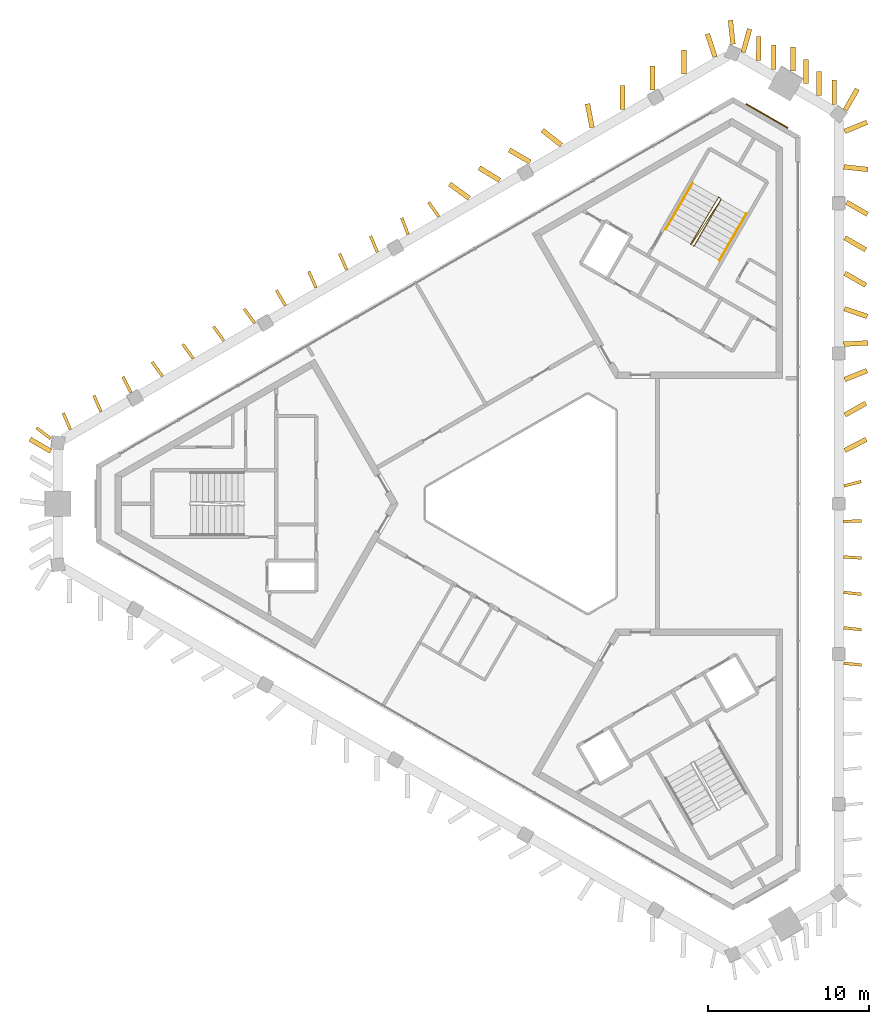
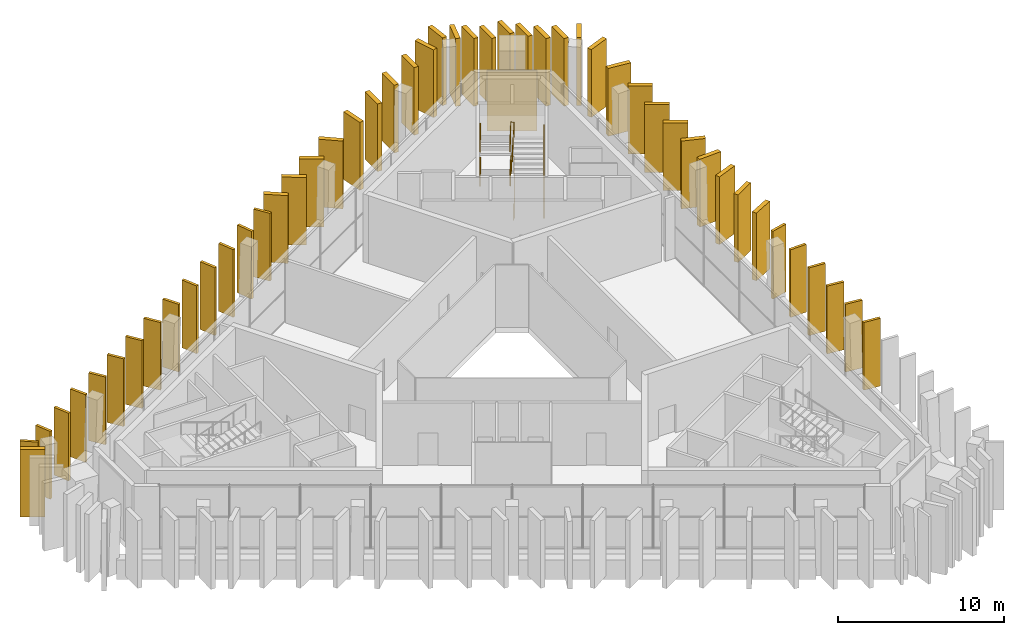
# One storey, part 13 of 13: 49 shading devices, 5 railings, 1 covering.
"""IFC4 building model written with IfcOpenShell, lengths in metres."""

from ifc_helpers import new_model, si_unit, direction, frame, frame_2d, origin, origin_2d, place, context, subcontext, project, spatial, rectangle, circle, extrude, material, layer, layer_set, type_object, element, save


model = new_model("IFC4")

# Units and contexts
model_context = context("Model", 3, precision=1e-05, world=origin(), true_north=direction((0.0, 1.0)))
body_context = subcontext(model_context, "Body", "Model", "MODEL_VIEW")
ifc_project = project(units=[si_unit("LENGTHUNIT", "METRE"), si_unit("AREAUNIT", "SQUARE_METRE"), si_unit("VOLUMEUNIT", "CUBIC_METRE"), si_unit("PLANEANGLEUNIT", "RADIAN"), si_unit("MASSUNIT", "GRAM", prefix="KILO")], contexts=[model_context])

# Site, building, storey
site_placement = place(None, origin())
site = spatial("IfcSite", under=ifc_project, at=site_placement, CompositionType="ELEMENT")
building_placement = place(site_placement, origin())
building = spatial("IfcBuilding", under=site, at=building_placement, Name="Jabali Bay Hotel Tower and Convention Centre", CompositionType="ELEMENT")
storey_placement = place(building_placement, frame((0.0, 0.0, 310.800048828125)))
storey = spatial("IfcBuildingStorey", under=building, at=storey_placement, Name="L76", CompositionType="ELEMENT", Elevation=310.800048828125)

# Shading devices
ifc_material_1 = material(Name="Precast concrete C60", Category="concrete")
ifc_layer_1 = layer(ifc_material_1, 0.179931640625)
ifc_layer_set_1 = layer_set([ifc_layer_1], Name="Precast concrete C60")
shading_device_type_1 = type_object("IfcShadingDeviceType", Name="Precast fin 4980 x 1100", PredefinedType="USERDEFINED", material=ifc_layer_set_1)
for number, where, z_axis, x_axis, name in (
    (1, (93.68212890625, 70.08544921875, 0.010009765625), (0.0, 0.0, 1.0), (0.995241617012, -0.097437794351, 0.0), "Fin L76 006"),
    (2, (93.68310546875, 72.28857421875, 0.010009765625), (0.0, 0.0, 1.0), (0.994140834083, -0.108092562223, 0.0), "Fin L76 007"),
):
    element("IfcShadingDevice", number, at=place(storey_placement, frame(where, z_axis=z_axis, x_axis=x_axis)), inside=storey, type_object=shading_device_type_1, Name=name, ObjectType="FIN", PredefinedType="USERDEFINED", context=body_context, shape_type="SweptSolid", body=[
        extrude(rectangle(XDim=1.099853515625, YDim=0.179931640625, at=frame_2d((0.5498046875, 0.0))), origin(), (0.0, 0.0, 1.0), 4.97998046875),
    ])
shading_device_1_placement = place(storey_placement, frame((93.68310546875, 74.491943359375, 0.010009765625), z_axis=(0.0, 0.0, 1.0), x_axis=(0.994069067808, -0.108750578974, 0.0)))
element("IfcShadingDevice", 3, at=shading_device_1_placement, inside=storey, type_object=shading_device_type_1, Name="Fin L76 008", ObjectType="FIN", PredefinedType="USERDEFINED", context=body_context, shape_type="SweptSolid", body=[
    extrude(rectangle(XDim=1.10009765625, YDim=0.179931640625, at=frame_2d((0.550048828125, 0.0))), origin(), (0.0, 0.0, 1.0), 4.97998046875),
])
shading_device_2_placement = place(storey_placement, frame((93.679443359375, 76.695068359375, 0.010009765625), z_axis=(0.0, 0.0, 1.0), x_axis=(0.997780244173, -0.066592674806, 0.0)))
element("IfcShadingDevice", 4, at=shading_device_2_placement, inside=storey, type_object=shading_device_type_1, Name="Fin L76 009", ObjectType="FIN", PredefinedType="USERDEFINED", context=body_context, shape_type="SweptSolid", body=[
    extrude(rectangle(XDim=1.099853515625, YDim=0.179931640625, at=frame_2d((0.5498046875, 0.0))), origin(), (0.0, 0.0, 1.0), 4.97998046875),
])
for number, where, z_axis, x_axis, name in (
    (5, (93.67578125, 78.8984375, 0.010009765625), (0.0, 0.0, 1.0), (0.999621235024, 0.027520655671, 0.0), "Fin L76 010"),
    (6, (93.696044921875, 81.1015625, 0.010009765625), (0.0, 0.0, 1.0), (0.967692652191, 0.252132764424, 0.0), "Fin L76 011"),
    (7, (68.521484375, 97.8310546875, 0.010009765625), (0.0, 0.0, 1.0), (-0.575872637812, 0.817539421079, 0.0), "Fin L76 038"),
):
    element("IfcShadingDevice", number, at=place(storey_placement, frame(where, z_axis=z_axis, x_axis=x_axis)), inside=storey, type_object=shading_device_type_1, Name=name, ObjectType="FIN", PredefinedType="USERDEFINED", context=body_context, shape_type="SweptSolid", body=[
        extrude(rectangle(XDim=1.10009765625, YDim=0.179931640625, at=frame_2d((0.550048828125, 0.0))), origin(), (0.0, 0.0, 1.0), 4.97998046875),
    ])
for number, where, z_axis, x_axis, name in (
    (8, (66.6103515625, 96.734619140625, 0.010009765625), (0.0, 0.0, 1.0), (-0.358458457268, 0.933545678804, 0.0), "Fin L76 039"),
    (9, (64.703857421875, 95.630126953125, 0.010009765625), (0.0, 0.0, 1.0), (-0.392418655815, 0.919786713629, 0.0), "Fin L76 040"),
    (10, (62.79638671875, 94.52783203125, 0.010009765625), (0.0, 0.0, 1.0), (-0.401994601146, 0.915642037398, 0.0), "Fin L76 041"),
):
    element("IfcShadingDevice", number, at=place(storey_placement, frame(where, z_axis=z_axis, x_axis=x_axis)), inside=storey, type_object=shading_device_type_1, Name=name, ObjectType="FIN", PredefinedType="USERDEFINED", context=body_context, shape_type="SweptSolid", body=[
        extrude(rectangle(XDim=1.099853515625, YDim=0.179931640625, at=frame_2d((0.5498046875, 0.0))), origin(), (0.0, 0.0, 1.0), 4.97998046875),
    ])
shading_device_3_placement = place(storey_placement, frame((60.888427734375, 93.42578125, 0.010009765625), z_axis=(0.0, 0.0, 1.0), x_axis=(-0.404820126816, 0.914396339081, 0.0)))
element("IfcShadingDevice", 11, at=shading_device_3_placement, inside=storey, type_object=shading_device_type_1, Name="Fin L76 042", ObjectType="FIN", PredefinedType="USERDEFINED", context=body_context, shape_type="SweptSolid", body=[
    extrude(rectangle(XDim=1.10009765625, YDim=0.179931640625, at=frame_2d((0.550048828125, 0.0))), origin(), (0.0, 0.0, 1.0), 4.97998046875),
])
shading_device_4_placement = place(storey_placement, frame((58.984619140625, 92.316650390625, 0.010009765625), z_axis=(0.0, 0.0, 1.0), x_axis=(-0.508280571239, 0.861191535549, 0.0)))
element("IfcShadingDevice", 12, at=shading_device_4_placement, inside=storey, type_object=shading_device_type_1, Name="Fin L76 043", ObjectType="FIN", PredefinedType="USERDEFINED", context=body_context, shape_type="SweptSolid", body=[
    extrude(rectangle(XDim=1.099853515625, YDim=0.179931640625, at=frame_2d((0.5498046875, 0.0))), origin(), (0.0, 0.0, 1.0), 4.97998046875),
])
for number, where, z_axis, x_axis, name in (
    (13, (57.072265625, 91.222412109375, 0.010009765625), (0.0, 0.0, 1.0), (-0.588290444592, 0.808649709579, 0.0), "Fin L76 044"),
    (14, (55.164306640625, 90.120849609375, 0.010009765625), (0.0, 0.0, 1.0), (-0.588290444592, 0.808649709579, 0.0), "Fin L76 045"),
):
    element("IfcShadingDevice", number, at=place(storey_placement, frame(where, z_axis=z_axis, x_axis=x_axis)), inside=storey, type_object=shading_device_type_1, Name=name, ObjectType="FIN", PredefinedType="USERDEFINED", context=body_context, shape_type="SweptSolid", body=[
        extrude(rectangle(XDim=1.10009765625, YDim=0.179931640625, at=frame_2d((0.550048828125, 0.0))), origin(), (0.0, 0.0, 1.0), 4.97998046875),
    ])
for number, where, z_axis, x_axis, name in (
    (15, (53.256103515625, 89.019287109375, 0.010009765625), (0.0, 0.0, 1.0), (-0.58839602701, 0.808572888117, 0.0), "Fin L76 046"),
    (16, (51.34814453125, 87.917724609375, 0.010009765625), (0.0, 0.0, 1.0), (-0.588646717653, 0.808390401845, 0.0), "Fin L76 047"),
    (17, (49.38818359375, 86.90576171875, 0.010009765625), (0.0, 0.0, 1.0), (-0.446147850517, 0.894959270291, 0.0), "Fin L76 048"),
):
    element("IfcShadingDevice", number, at=place(storey_placement, frame(where, z_axis=z_axis, x_axis=x_axis)), inside=storey, type_object=shading_device_type_1, Name=name, ObjectType="FIN", PredefinedType="USERDEFINED", context=body_context, shape_type="SweptSolid", body=[
        extrude(rectangle(XDim=1.099853515625, YDim=0.179931640625, at=frame_2d((0.5498046875, 0.0))), origin(), (0.0, 0.0, 1.0), 4.97998046875),
    ])
for number, where, z_axis, x_axis, name in (
    (18, (47.53173828125, 85.714599609375, 0.010009765625), (0.0, 0.0, 1.0), (-0.402366707365, 0.915478581292, 0.0), "Fin L76 049"),
    (19, (45.623291015625, 84.61376953125, 0.010009765625), (0.0, 0.0, 1.0), (-0.393705009986, 0.919236838422, 0.0), "Fin L76 050"),
    (20, (44.402587890625, 84.0419921875, 0.010009765625), (0.0, 0.0, 1.0), (-0.793670656853, 0.608347670703, 0.0), "Fin L76 090"),
):
    element("IfcShadingDevice", number, at=place(storey_placement, frame(where, z_axis=z_axis, x_axis=x_axis)), inside=storey, type_object=shading_device_type_1, Name=name, ObjectType="FIN", PredefinedType="USERDEFINED", context=body_context, shape_type="SweptSolid", body=[
        extrude(rectangle(XDim=1.10009765625, YDim=0.179931640625, at=frame_2d((0.550048828125, 0.0))), origin(), (0.0, 0.0, 1.0), 4.97998046875),
    ])
ifc_layer_2 = layer(ifc_material_1, 0.300048828125)
ifc_layer_set_2 = layer_set([ifc_layer_2], Name="Precast concrete C60")
shading_device_type_2 = type_object("IfcShadingDeviceType", Name="Precast fin 4980 x 1500", PredefinedType="USERDEFINED", material=ifc_layer_set_2)
for number, where, z_axis, x_axis, name in (
    (21, (93.7421875, 83.304931640625, 0.010009765625), (0.0, 0.0, 1.0), (0.888190158366, 0.459476052239, 0.0), "Fin L76 012"),
    (22, (93.7470703125, 85.508056640625, 0.010009765625), (0.0, 0.0, 1.0), (0.870874872873, 0.491504787157, 0.0), "Fin L76 013"),
    (23, (93.729248046875, 87.71142578125, 0.010009765625), (0.0, 0.0, 1.0), (0.927880592927, 0.37287746683, 0.0), "Fin L76 014"),
    (24, (93.68115234375, 89.91455078125, 0.010009765625), (0.0, 0.0, 1.0), (0.998651343327, 0.05191815165, 0.0), "Fin L76 015"),
):
    element("IfcShadingDevice", number, at=place(storey_placement, frame(where, z_axis=z_axis, x_axis=x_axis)), inside=storey, type_object=shading_device_type_2, Name=name, ObjectType="FIN", PredefinedType="USERDEFINED", context=body_context, shape_type="SweptSolid", body=[
        extrude(rectangle(XDim=1.5, YDim=0.300048828125, at=frame_2d((0.75, 0.0))), origin(), (0.0, 0.0, 1.0), 4.97998046875),
    ])
shading_device_5_placement = place(storey_placement, frame((93.7216796875, 92.117919921875, 0.010009765625), z_axis=(0.0, 0.0, 1.0), x_axis=(0.94686101263, -0.32164300515, 0.0)))
element("IfcShadingDevice", 25, at=shading_device_5_placement, inside=storey, type_object=shading_device_type_2, Name="Fin L76 016", ObjectType="FIN", PredefinedType="USERDEFINED", context=body_context, shape_type="SweptSolid", body=[
    extrude(rectangle(XDim=1.499755859375, YDim=0.300048828125, at=frame_2d((0.75, 0.0))), origin(), (0.0, 0.0, 1.0), 4.97998046875),
])
for number, where, z_axis, x_axis, name in (
    (26, (93.748291015625, 94.321044921875, 0.010009765625), (0.0, 0.0, 1.0), (0.866031096941, -0.499990139034, 0.0), "Fin L76 017"),
    (27, (93.748291015625, 96.5244140625, 0.010009765625), (0.0, 0.0, 1.0), (0.866031096941, -0.499990139034, 0.0), "Fin L76 018"),
    (28, (93.855224609375, 98.7275390625, 0.010009765625), (0.0, 0.0, 1.0), (0.868102892973, -0.496384293882, 0.0), "Fin L76 019"),
    (29, (93.689697265625, 100.930908203125, 0.010009765625), (0.0, 0.0, 1.0), (0.993964843951, -0.109699083809, 0.0), "Fin L76 020"),
):
    element("IfcShadingDevice", number, at=place(storey_placement, frame(where, z_axis=z_axis, x_axis=x_axis)), inside=storey, type_object=shading_device_type_2, Name=name, ObjectType="FIN", PredefinedType="USERDEFINED", context=body_context, shape_type="SweptSolid", body=[
        extrude(rectangle(XDim=1.5, YDim=0.300048828125, at=frame_2d((0.75, 0.0))), origin(), (0.0, 0.0, 1.0), 4.97998046875),
    ])
shading_device_6_placement = place(storey_placement, frame((93.7294921875, 103.134033203125, 0.010009765625), z_axis=(0.0, 0.0, 1.0), x_axis=(0.927169010401, 0.374643331919, 0.0)))
element("IfcShadingDevice", 30, at=shading_device_6_placement, inside=storey, type_object=shading_device_type_2, Name="Fin L76 021", ObjectType="FIN", PredefinedType="USERDEFINED", context=body_context, shape_type="SweptSolid", body=[
    extrude(rectangle(XDim=1.500244140625, YDim=0.300048828125, at=frame_2d((0.75, 0.0))), origin(), (0.0, 0.0, 1.0), 4.97998046875),
])
for number, where, z_axis, x_axis, name in (
    (31, (93.091552734375, 104.820556640625, 0.010009765625), (0.0, 0.0, 1.0), (0.0, 1.0, 0.0), "Fin L76 022"),
    (32, (92.1513671875, 105.36328125, 0.010009765625), (0.0, 0.0, 1.0), (0.0, 1.0, 0.0), "Fin L76 023"),
    (33, (91.33203125, 106.116455078125, 0.010009765625), (0.0, 0.0, 1.0), (0.0, 1.0, 0.0), "Fin L76 024"),
    (34, (90.52685546875, 106.893310546875, 0.010009765625), (0.0, 0.0, 1.0), (0.0, 1.0, 0.0), "Fin L76 025"),
    (35, (89.330078125, 106.9921875, 0.010009765625), (0.0, 0.0, 1.0), (0.0, 1.0, 0.0), "Fin L76 026"),
    (36, (88.38916015625, 107.5341796875, 0.010009765625), (0.0, 0.0, 1.0), (0.008463238555, 0.999964186155, 0.0), "Fin L76 027"),
):
    element("IfcShadingDevice", number, at=place(storey_placement, frame(where, z_axis=z_axis, x_axis=x_axis)), inside=storey, type_object=shading_device_type_2, Name=name, ObjectType="FIN", PredefinedType="USERDEFINED", context=body_context, shape_type="SweptSolid", body=[
        extrude(rectangle(XDim=1.5, YDim=0.300048828125, at=frame_2d((0.75, 0.0))), origin(), (0.0, 0.0, 1.0), 4.97998046875),
    ])
shading_device_7_placement = place(storey_placement, frame((87.43017578125, 108.044921875, 0.010009765625), z_axis=(0.0, 0.0, 1.0), x_axis=(0.267274455036, 0.963620446901, 0.0)))
element("IfcShadingDevice", 37, at=shading_device_7_placement, inside=storey, type_object=shading_device_type_2, Name="Fin L76 028", ObjectType="FIN", PredefinedType="USERDEFINED", context=body_context, shape_type="SweptSolid", body=[
    extrude(rectangle(XDim=1.499755859375, YDim=0.300048828125, at=frame_2d((0.75, 0.0))), origin(), (0.0, 0.0, 1.0), 4.97998046875),
])
for number, where, z_axis, x_axis, name in (
    (38, (85.682861328125, 107.764892578125, 0.010009765625), (0.0, 0.0, 1.0), (-0.31476261991, 0.949170423637, 0.0), "Fin L76 029"),
    (39, (83.75244140625, 106.701904296875, 0.010009765625), (0.0, 0.0, 1.0), (0.0, 1.0, 0.0), "Fin L76 030"),
    (40, (81.790771484375, 105.693359375, 0.010009765625), (0.0, 0.0, 1.0), (0.0, 1.0, 0.0), "Fin L76 031"),
    (41, (79.936279296875, 104.498779296875, 0.010009765625), (0.0, 0.0, 1.0), (0.0, 1.0, 0.0), "Fin L76 032"),
    (42, (78.041015625, 103.374755859375, 0.010009765625), (0.0, 0.0, 1.0), (-0.187658042769, 0.982234421604, 0.0), "Fin L76 033"),
    (43, (76.1298828125, 102.27880859375, 0.010009765625), (0.0, 0.0, 1.0), (-0.785515648711, 0.6188417937, 0.0), "Fin L76 034"),
    (44, (74.19287109375, 101.22705078125, 0.010009765625), (0.0, 0.0, 1.0), (-0.863282610717, 0.504720847631, 0.0), "Fin L76 035"),
    (45, (72.305908203125, 100.089111328125, 0.010009765625), (0.0, 0.0, 1.0), (-0.852177591743, 0.523252665671, 0.0), "Fin L76 036"),
    (46, (70.4033203125, 98.97802734375, 0.010009765625), (0.0, 0.0, 1.0), (-0.806937619336, 0.59063667216, 0.0), "Fin L76 037"),
    (47, (44.413818359375, 83.257568359375, 0.010009765625), (0.0, 0.0, 1.0), (-0.866031096941, 0.499990139034, 0.0), "Fin L76 051"),
    (48, (93.774169921875, 104.462646484375, 0.010009765625), (0.0, 0.0, 1.0), (0.499990139034, 0.866031096941, 0.0), "Fin L76 088"),
    (49, (86.79833984375, 108.548583984375, 0.010009765625), (0.0, 0.0, 1.0), (-0.106446918434, 0.994318386411, 0.0), "Fin L76 089"),
):
    element("IfcShadingDevice", number, at=place(storey_placement, frame(where, z_axis=z_axis, x_axis=x_axis)), inside=storey, type_object=shading_device_type_2, Name=name, ObjectType="FIN", PredefinedType="USERDEFINED", context=body_context, shape_type="SweptSolid", body=[
        extrude(rectangle(XDim=1.5, YDim=0.300048828125, at=frame_2d((0.75, 0.0))), origin(), (0.0, 0.0, 1.0), 4.97998046875),
    ])

# Covering
ifc_material_2 = material(Name="Precast concrete C40/50", Category="concrete")
ifc_layer_3 = layer(ifc_material_2, 0.080078125)
ifc_layer_set_3 = layer_set([ifc_layer_3], Name="Precast concrete C40/50")
covering_type = type_object("IfcCoveringType", Name="Relief panel 3000 x 4400", PredefinedType="CLADDING", material=ifc_layer_set_3)
covering_placement = place(storey_placement, frame((88.90966796875, 104.092041015625, 0.10009765625), z_axis=(0.0, 0.0, 1.0), x_axis=(0.866025390031, -0.500000023821, 0.0)))
element("IfcCovering", 50, at=covering_placement, inside=storey, type_object=covering_type, Name="Relief panel L76", PredefinedType="CLADDING", context=body_context, shape_type="SweptSolid", body=[
    extrude(rectangle(XDim=3.0, YDim=0.080078125, at=origin_2d()), origin(), (0.0, 0.0, 1.0), 4.39990234375),
])

# Railings
ifc_material_3 = material(Name="Steel Q355B", Category="steel")
railing_type_1 = type_object("IfcRailingType", Name="Stair guard 1100", PredefinedType="GUARDRAIL", material=ifc_material_3)
railing_1_placement = place(storey_placement, frame((84.329833984375, 96.010009765625, 0.0)))
element("IfcRailing", 51, at=railing_1_placement, inside=storey, type_object=railing_type_1, Name="L76 ST2 stair guard 1", PredefinedType="GUARDRAIL", context=body_context, shape_type="SweptSolid", body=[
    extrude(circle(Radius=0.02392578125, at=origin_2d()), frame((0.0, 0.0, 1.076171875), z_axis=(0.475898071169, 0.127472697635, 0.870213615852), x_axis=(-0.258736085224, 0.965948051503, 0.0)), (0.0, 0.0, 1.0), 0.1435546875),
    extrude(circle(Radius=0.02392578125, at=origin_2d()), frame((0.068359375, 0.018310546875, 1.201171875), z_axis=(0.473714601276, 0.820457019102, 0.320069924147), x_axis=(-0.866014653411, 0.500018619731, 0.0)), (0.0, 0.0, 1.0), 3.514892578125),
    extrude(circle(Radius=0.02392578125, at=origin_2d()), frame((1.7333984375, 2.902099609375, 2.326171875), z_axis=(-0.718850276695, 0.695164929852, 0.0), x_axis=(-0.695164929852, -0.718850276695, 0.0)), (0.0, 0.0, 1.0), 0.2060546875),
    extrude(circle(Radius=0.02392578125, at=origin_2d()), frame((1.585205078125, 3.04541015625, 2.326171875), z_axis=(-0.480955231434, -0.805227441698, 0.34682968802), x_axis=(0.858517215027, -0.512784741877, 0.0)), (0.0, 0.0, 1.0), 3.60400390625),
    extrude(circle(Radius=0.02392578125, at=origin_2d()), frame((-0.148193359375, 0.143310546875, 3.576171875), z_axis=(0.258736085224, -0.965948051503, 0.0), x_axis=(0.965948051503, 0.258736085224, 0.0)), (0.0, 0.0, 1.0), 0.07080078125),
    extrude(circle(Radius=0.02392578125, at=origin_2d()), frame((-0.1298828125, 0.074951171875, 3.576171875), z_axis=(0.516243724315, 0.783294330132, 0.346327026794), x_axis=(-0.834967240255, 0.550299652645, 0.0)), (0.0, 0.0, 1.0), 3.609375),
    extrude(circle(Radius=0.02392578125, at=origin_2d()), frame((1.7333984375, 2.902099609375, 4.826171875), z_axis=(-0.718850276695, 0.695164929852, 0.0), x_axis=(-0.695164929852, -0.718850276695, 0.0)), (0.0, 0.0, 1.0), 0.2060546875),
    extrude(circle(Radius=0.02392578125, at=origin_2d()), frame((1.585205078125, 3.04541015625, 4.826171875), z_axis=(-0.480955231434, -0.805227441698, 0.34682968802), x_axis=(0.858517215027, -0.512784741877, 0.0)), (0.0, 0.0, 1.0), 3.60400390625),
    extrude(circle(Radius=0.02099609375, at=origin_2d()), origin(), (0.0, 0.0, 1.0), 1.052001953125),
    extrude(circle(Radius=0.02099609375, at=origin_2d()), frame((0.068359375, 0.018310546875, 0.125)), (0.0, 0.0, 1.0), 1.052001953125),
    extrude(circle(Radius=0.02099609375, at=origin_2d()), frame((0.623291015625, 0.9794921875, 0.5)), (0.0, 0.0, 1.0), 1.052001953125),
    extrude(circle(Radius=0.02099609375, at=origin_2d()), frame((1.178466796875, 1.94091796875, 0.875)), (0.0, 0.0, 1.0), 1.052001953125),
    extrude(circle(Radius=0.02099609375, at=origin_2d()), frame((1.7333984375, 2.902099609375, 1.25)), (0.0, 0.0, 1.0), 1.052001953125),
    extrude(circle(Radius=0.02099609375, at=origin_2d()), frame((1.585205078125, 3.04541015625, 1.25)), (0.0, 0.0, 1.0), 1.052001953125),
    extrude(circle(Radius=0.02099609375, at=origin_2d()), frame((1.15185546875, 2.31982421875, 1.5625)), (0.0, 0.0, 1.0), 1.052001953125),
    extrude(circle(Radius=0.02099609375, at=origin_2d()), frame((0.718505859375, 1.59423828125, 1.875)), (0.0, 0.0, 1.0), 1.052001953125),
    extrude(circle(Radius=0.02099609375, at=origin_2d()), frame((0.28515625, 0.868896484375, 2.1875)), (0.0, 0.0, 1.0), 1.052001953125),
    extrude(circle(Radius=0.02099609375, at=origin_2d()), frame((-0.148193359375, 0.143310546875, 2.5)), (0.0, 0.0, 1.0), 1.052001953125),
    extrude(circle(Radius=0.02099609375, at=origin_2d()), frame((-0.1298828125, 0.074951171875, 2.5)), (0.0, 0.0, 1.0), 1.052001953125),
    extrude(circle(Radius=0.02099609375, at=origin_2d()), frame((0.3359375, 0.78173828125, 2.8125)), (0.0, 0.0, 1.0), 1.052001953125),
    extrude(circle(Radius=0.02099609375, at=origin_2d()), frame((0.8017578125, 1.488525390625, 3.125)), (0.0, 0.0, 1.0), 1.052001953125),
    extrude(circle(Radius=0.02099609375, at=origin_2d()), frame((1.267578125, 2.1953125, 3.4375)), (0.0, 0.0, 1.0), 1.052001953125),
    extrude(circle(Radius=0.02099609375, at=origin_2d()), frame((1.7333984375, 2.902099609375, 3.75)), (0.0, 0.0, 1.0), 1.052001953125),
    extrude(circle(Radius=0.02099609375, at=origin_2d()), frame((1.585205078125, 3.04541015625, 3.75)), (0.0, 0.0, 1.0), 1.052001953125),
    extrude(circle(Radius=0.02099609375, at=origin_2d()), frame((1.15185546875, 2.31982421875, 4.0625)), (0.0, 0.0, 1.0), 1.052001953125),
    extrude(circle(Radius=0.02099609375, at=origin_2d()), frame((0.718505859375, 1.59423828125, 4.375)), (0.0, 0.0, 1.0), 1.052001953125),
    extrude(circle(Radius=0.02099609375, at=origin_2d()), frame((0.28515625, 0.868896484375, 4.6875)), (0.0, 0.0, 1.0), 1.052001953125),
    extrude(circle(Radius=0.02099609375, at=origin_2d()), frame((-0.148193359375, 0.143310546875, 5.0)), (0.0, 0.0, 1.0), 1.052001953125),
])
railing_type_2 = type_object("IfcRailingType", Name="Stair handrail 900", PredefinedType="HANDRAIL", material=ifc_material_3)
railing_2_placement = place(storey_placement, frame((85.95703125, 95.128173828125, 0.125)))
element("IfcRailing", 52, at=railing_2_placement, inside=storey, type_object=railing_type_2, Name="L76 ST2 stair handrail 1", PredefinedType="HANDRAIL", context=body_context, shape_type="SweptSolid", body=[
    extrude(circle(Radius=0.02392578125, at=origin_2d()), frame((0.0, 0.0, 0.8759765625), z_axis=(0.473687606094, 0.820479720058, 0.320051684587), x_axis=(-0.866032982159, 0.499986873641, 0.0)), (0.0, 0.0, 1.0), 3.51513671875),
    extrude(circle(Radius=0.02099609375, at=origin_2d()), origin(), (0.0, 0.0, 1.0), 0.851806640625),
    extrude(circle(Radius=0.02099609375, at=origin_2d()), frame((0.554931640625, 0.96142578125, 0.375)), (0.0, 0.0, 1.0), 0.851806640625),
    extrude(circle(Radius=0.02099609375, at=origin_2d()), frame((1.110107421875, 1.922607421875, 0.75)), (0.0, 0.0, 1.0), 0.851806640625),
    extrude(circle(Radius=0.02099609375, at=origin_2d()), frame((1.6650390625, 2.884033203125, 1.125)), (0.0, 0.0, 1.0), 0.851806640625),
])
railing_3_placement = place(storey_placement, frame((84.287841796875, 99.93701171875, 1.375)))
element("IfcRailing", 53, at=railing_3_placement, inside=storey, type_object=railing_type_2, Name="L76 ST2 stair handrail 2", PredefinedType="HANDRAIL", context=body_context, shape_type="SweptSolid", body=[
    extrude(circle(Radius=0.02392578125, at=origin_2d()), frame((0.0, 0.0, 0.8759765625), z_axis=(-0.473714601276, -0.820457019102, 0.320069924147), x_axis=(0.866014653411, -0.500018619731, 0.0)), (0.0, 0.0, 1.0), 3.514892578125),
    extrude(circle(Radius=0.02099609375, at=origin_2d()), origin(), (0.0, 0.0, 1.0), 0.851806640625),
    extrude(circle(Radius=0.02099609375, at=origin_2d()), frame((-0.554931640625, -0.961181640625, 0.375)), (0.0, 0.0, 1.0), 0.851806640625),
    extrude(circle(Radius=0.02099609375, at=origin_2d()), frame((-1.110107421875, -1.922607421875, 0.75)), (0.0, 0.0, 1.0), 0.851806640625),
    extrude(circle(Radius=0.02099609375, at=origin_2d()), frame((-1.6650390625, -2.8837890625, 1.125)), (0.0, 0.0, 1.0), 0.851806640625),
])
railing_4_placement = place(storey_placement, frame((85.95703125, 95.128173828125, 2.625)))
element("IfcRailing", 54, at=railing_4_placement, inside=storey, type_object=railing_type_2, Name="L76 ST2 stair handrail 3", PredefinedType="HANDRAIL", context=body_context, shape_type="SweptSolid", body=[
    extrude(circle(Radius=0.02392578125, at=origin_2d()), frame((0.0, 0.0, 0.8759765625), z_axis=(0.473687606094, 0.820479720058, 0.320051684587), x_axis=(-0.866032982159, 0.499986873641, 0.0)), (0.0, 0.0, 1.0), 3.51513671875),
    extrude(circle(Radius=0.02099609375, at=origin_2d()), origin(), (0.0, 0.0, 1.0), 0.851806640625),
    extrude(circle(Radius=0.02099609375, at=origin_2d()), frame((0.554931640625, 0.96142578125, 0.375)), (0.0, 0.0, 1.0), 0.851806640625),
    extrude(circle(Radius=0.02099609375, at=origin_2d()), frame((1.110107421875, 1.922607421875, 0.75)), (0.0, 0.0, 1.0), 0.851806640625),
    extrude(circle(Radius=0.02099609375, at=origin_2d()), frame((1.6650390625, 2.884033203125, 1.125)), (0.0, 0.0, 1.0), 0.851806640625),
])
railing_5_placement = place(storey_placement, frame((84.287841796875, 99.93701171875, 3.875)))
element("IfcRailing", 55, at=railing_5_placement, inside=storey, type_object=railing_type_2, Name="L76 ST2 stair handrail 4", PredefinedType="HANDRAIL", context=body_context, shape_type="SweptSolid", body=[
    extrude(circle(Radius=0.02392578125, at=origin_2d()), frame((0.0, 0.0, 0.8759765625), z_axis=(-0.473714601276, -0.820457019102, 0.320069924147), x_axis=(0.866014653411, -0.500018619731, 0.0)), (0.0, 0.0, 1.0), 3.514892578125),
    extrude(circle(Radius=0.02099609375, at=origin_2d()), origin(), (0.0, 0.0, 1.0), 0.851806640625),
    extrude(circle(Radius=0.02099609375, at=origin_2d()), frame((-0.554931640625, -0.961181640625, 0.375)), (0.0, 0.0, 1.0), 0.851806640625),
    extrude(circle(Radius=0.02099609375, at=origin_2d()), frame((-1.110107421875, -1.922607421875, 0.75)), (0.0, 0.0, 1.0), 0.851806640625),
    extrude(circle(Radius=0.02099609375, at=origin_2d()), frame((-1.6650390625, -2.8837890625, 1.125)), (0.0, 0.0, 1.0), 0.851806640625),
])

save(model, "model.ifc")
